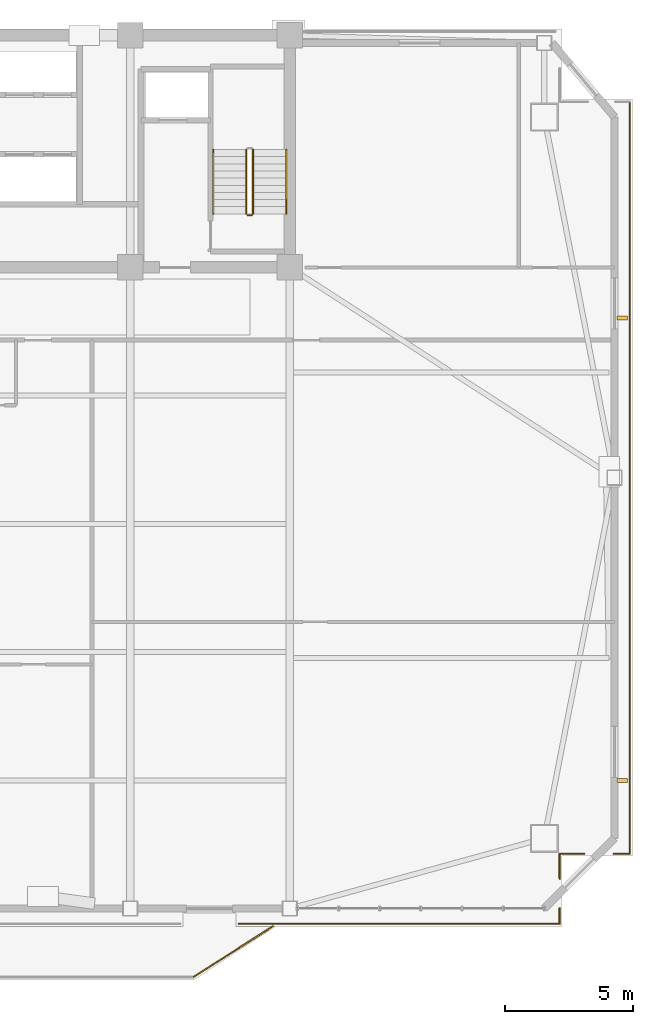
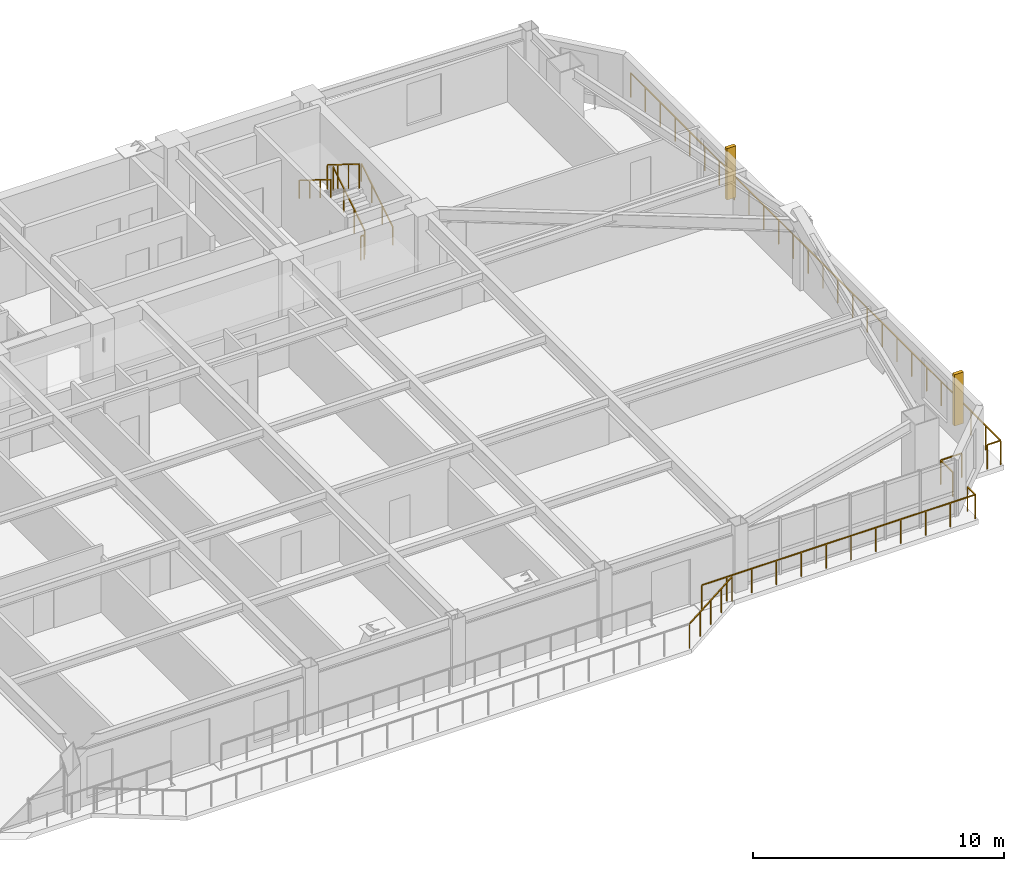
# One storey, part 15 of 17: 12 railings, 2 shading devices.
"""IFC4 building model written with IfcOpenShell, lengths in metres."""

from ifc_helpers import new_model, si_unit, direction, frame, origin, origin_2d, place, context, subcontext, project, spatial, rectangle, extrude, source, transform, mapped, material, type_object, element, save


model = new_model("IFC4")

# Units and contexts
model_context = context("Model", 3, precision=1e-05, world=origin(), true_north=direction((0.0, 1.0)))
body_context = subcontext(model_context, "Body", "Model", "MODEL_VIEW")
ifc_project = project(units=[si_unit("LENGTHUNIT", "METRE"), si_unit("AREAUNIT", "SQUARE_METRE"), si_unit("VOLUMEUNIT", "CUBIC_METRE"), si_unit("PLANEANGLEUNIT", "RADIAN"), si_unit("MASSUNIT", "GRAM", prefix="KILO")], contexts=[model_context])

# Site, building, storey
site_placement = place(None, origin())
site = spatial("IfcSite", under=ifc_project, at=site_placement, CompositionType="ELEMENT")
building_placement = place(site_placement, origin())
building = spatial("IfcBuilding", under=site, at=building_placement, Name="Giltprow Tower", CompositionType="ELEMENT")
storey_placement = place(building_placement, frame((0.0, 0.0, 216.699951171875)))
storey = spatial("IfcBuildingStorey", under=building, at=storey_placement, Name="L55", CompositionType="ELEMENT", Elevation=216.699951171875)

# Railings
ifc_material = material(Name="Anodized bronze", Category="metal")
railing_type_1 = type_object("IfcRailingType", Name="RAIL-BALC-GUARD-1200", PredefinedType="BALUSTRADE", material=ifc_material)
railing_1_placement = place(storey_placement, frame((46.780029296875, 9.637939453125, 0.0)))
element("IfcRailing", 1, at=railing_1_placement, inside=storey, type_object=railing_type_1, Name="L55 Waterfront Balcony Balustrade Seg 3", PredefinedType="BALUSTRADE", context=body_context, shape_type="SweptSolid", body=[
    extrude(rectangle(XDim=0.048095703125, YDim=0.048095703125, at=origin_2d()), frame((0.0, 0.0, 1.17578125), z_axis=(0.842755646126, 0.538296313309, 0.0), x_axis=(-0.538296313309, 0.842755646126, 0.0)), (0.0, 0.0, 1.0), 3.67822265625),
    extrude(rectangle(XDim=0.0419921875, YDim=0.0419921875, at=origin_2d()), origin(), (0.0, 0.0, 1.0), 1.15185546875),
    extrude(rectangle(XDim=0.0419921875, YDim=0.0419921875, at=origin_2d()), frame((0.77490234375, 0.4951171875, 0.0)), (0.0, 0.0, 1.0), 1.15185546875),
    extrude(rectangle(XDim=0.0419921875, YDim=0.0419921875, at=origin_2d()), frame((1.5498046875, 0.989990234375, 0.0)), (0.0, 0.0, 1.0), 1.15185546875),
    extrude(rectangle(XDim=0.0419921875, YDim=0.0419921875, at=origin_2d()), frame((2.324951171875, 1.48486328125, 0.0)), (0.0, 0.0, 1.0), 1.15185546875),
    extrude(rectangle(XDim=0.0419921875, YDim=0.0419921875, at=origin_2d()), frame((3.099853515625, 1.97998046875, 0.0)), (0.0, 0.0, 1.0), 1.15185546875),
])
railing_2_placement = place(storey_placement, frame((63.882080078125, 43.946044921875, 0.0)))
element("IfcRailing", 2, at=railing_2_placement, inside=storey, type_object=railing_type_1, Name="L55 Corner Apron Edge Balustrade 1", PredefinedType="BALUSTRADE", context=body_context, shape_type="SweptSolid", body=[
    extrude(rectangle(XDim=0.048095703125, YDim=0.048095703125, at=origin_2d()), frame((0.0, 0.0, 1.17578125), z_axis=(0.0, -1.0, 0.0), x_axis=(1.0, 0.0, 0.0)), (0.0, 0.0, 1.0), 29.47412109375),
    extrude(rectangle(XDim=0.0419921875, YDim=0.0419921875, at=origin_2d()), origin(), (0.0, 0.0, 1.0), 1.15185546875),
    extrude(rectangle(XDim=0.0419921875, YDim=0.0419921875, at=origin_2d()), frame((0.0, -1.178955078125, 0.0)), (0.0, 0.0, 1.0), 1.15185546875),
    extrude(rectangle(XDim=0.0419921875, YDim=0.0419921875, at=origin_2d()), frame((0.0, -2.35791015625, 0.0)), (0.0, 0.0, 1.0), 1.15185546875),
    extrude(rectangle(XDim=0.0419921875, YDim=0.0419921875, at=origin_2d()), frame((0.0, -3.536865234375, 0.0)), (0.0, 0.0, 1.0), 1.15185546875),
    extrude(rectangle(XDim=0.0419921875, YDim=0.0419921875, at=origin_2d()), frame((0.0, -4.7158203125, 0.0)), (0.0, 0.0, 1.0), 1.15185546875),
    extrude(rectangle(XDim=0.0419921875, YDim=0.0419921875, at=origin_2d()), frame((0.0, -5.894775390625, 0.0)), (0.0, 0.0, 1.0), 1.15185546875),
    extrude(rectangle(XDim=0.0419921875, YDim=0.0419921875, at=origin_2d()), frame((0.0, -7.07373046875, 0.0)), (0.0, 0.0, 1.0), 1.15185546875),
    extrude(rectangle(XDim=0.0419921875, YDim=0.0419921875, at=origin_2d()), frame((0.0, -8.252685546875, 0.0)), (0.0, 0.0, 1.0), 1.15185546875),
    extrude(rectangle(XDim=0.0419921875, YDim=0.0419921875, at=origin_2d()), frame((0.0, -9.431640625, 0.0)), (0.0, 0.0, 1.0), 1.15185546875),
    extrude(rectangle(XDim=0.0419921875, YDim=0.0419921875, at=origin_2d()), frame((0.0, -10.610595703125, 0.0)), (0.0, 0.0, 1.0), 1.15185546875),
    extrude(rectangle(XDim=0.0419921875, YDim=0.0419921875, at=origin_2d()), frame((0.0, -11.78955078125, 0.0)), (0.0, 0.0, 1.0), 1.15185546875),
    extrude(rectangle(XDim=0.0419921875, YDim=0.0419921875, at=origin_2d()), frame((0.0, -12.968505859375, 0.0)), (0.0, 0.0, 1.0), 1.15185546875),
    extrude(rectangle(XDim=0.0419921875, YDim=0.0419921875, at=origin_2d()), frame((0.0, -14.1474609375, 0.0)), (0.0, 0.0, 1.0), 1.15185546875),
    extrude(rectangle(XDim=0.0419921875, YDim=0.0419921875, at=origin_2d()), frame((0.0, -15.32666015625, 0.0)), (0.0, 0.0, 1.0), 1.15185546875),
    extrude(rectangle(XDim=0.0419921875, YDim=0.0419921875, at=origin_2d()), frame((0.0, -16.505615234375, 0.0)), (0.0, 0.0, 1.0), 1.15185546875),
    extrude(rectangle(XDim=0.0419921875, YDim=0.0419921875, at=origin_2d()), frame((0.0, -17.6845703125, 0.0)), (0.0, 0.0, 1.0), 1.15185546875),
    extrude(rectangle(XDim=0.0419921875, YDim=0.0419921875, at=origin_2d()), frame((0.0, -18.863525390625, 0.0)), (0.0, 0.0, 1.0), 1.15185546875),
    extrude(rectangle(XDim=0.0419921875, YDim=0.0419921875, at=origin_2d()), frame((0.0, -20.04248046875, 0.0)), (0.0, 0.0, 1.0), 1.15185546875),
    extrude(rectangle(XDim=0.0419921875, YDim=0.0419921875, at=origin_2d()), frame((0.0, -21.221435546875, 0.0)), (0.0, 0.0, 1.0), 1.15185546875),
    extrude(rectangle(XDim=0.0419921875, YDim=0.0419921875, at=origin_2d()), frame((0.0, -22.400390625, 0.0)), (0.0, 0.0, 1.0), 1.15185546875),
    extrude(rectangle(XDim=0.0419921875, YDim=0.0419921875, at=origin_2d()), frame((0.0, -23.579345703125, 0.0)), (0.0, 0.0, 1.0), 1.15185546875),
    extrude(rectangle(XDim=0.0419921875, YDim=0.0419921875, at=origin_2d()), frame((0.0, -24.75830078125, 0.0)), (0.0, 0.0, 1.0), 1.15185546875),
    extrude(rectangle(XDim=0.0419921875, YDim=0.0419921875, at=origin_2d()), frame((0.0, -25.937255859375, 0.0)), (0.0, 0.0, 1.0), 1.15185546875),
    extrude(rectangle(XDim=0.0419921875, YDim=0.0419921875, at=origin_2d()), frame((0.0, -27.1162109375, 0.0)), (0.0, 0.0, 1.0), 1.15185546875),
    extrude(rectangle(XDim=0.0419921875, YDim=0.0419921875, at=origin_2d()), frame((0.0, -28.295166015625, 0.0)), (0.0, 0.0, 1.0), 1.15185546875),
    extrude(rectangle(XDim=0.0419921875, YDim=0.0419921875, at=origin_2d()), frame((0.0, -29.47412109375, 0.0)), (0.0, 0.0, 1.0), 1.15185546875),
])
railing_3_placement = place(storey_placement, frame((63.882080078125, 14.471923828125, 0.0)))
element("IfcRailing", 3, at=railing_3_placement, inside=storey, type_object=railing_type_1, Name="L55 Corner Apron Edge Balustrade 2", PredefinedType="BALUSTRADE", context=body_context, shape_type="SweptSolid", body=[
    extrude(rectangle(XDim=0.048095703125, YDim=0.048095703125, at=origin_2d()), frame((0.0, 0.0, 1.17578125), z_axis=(-1.0, 0.0, 0.0), x_axis=(0.0, -1.0, 0.0)), (0.0, 0.0, 1.0), 0.6201171875),
    extrude(rectangle(XDim=0.0419921875, YDim=0.0419921875, at=origin_2d()), origin(), (0.0, 0.0, 1.0), 1.15185546875),
    extrude(rectangle(XDim=0.0419921875, YDim=0.0419921875, at=origin_2d()), frame((-0.6201171875, 0.0, 0.0)), (0.0, 0.0, 1.0), 1.15185546875),
])
railing_4_placement = place(storey_placement, frame((62.10205078125, 14.471923828125, 0.0)))
element("IfcRailing", 4, at=railing_4_placement, inside=storey, type_object=railing_type_1, Name="L55 Corner Apron Edge Balustrade 3", PredefinedType="BALUSTRADE", context=body_context, shape_type="SweptSolid", body=[
    extrude(rectangle(XDim=0.048095703125, YDim=0.048095703125, at=origin_2d()), frame((0.0, 0.0, 1.17578125), z_axis=(-1.0, 0.0, 0.0), x_axis=(0.0, -1.0, 0.0)), (0.0, 0.0, 1.0), 0.97412109375),
    extrude(rectangle(XDim=0.0419921875, YDim=0.0419921875, at=origin_2d()), origin(), (0.0, 0.0, 1.0), 1.15185546875),
    extrude(rectangle(XDim=0.0419921875, YDim=0.0419921875, at=origin_2d()), frame((-0.97412109375, 0.0, 0.0)), (0.0, 0.0, 1.0), 1.15185546875),
])
railing_5_placement = place(storey_placement, frame((61.1279296875, 14.471923828125, 0.0)))
element("IfcRailing", 5, at=railing_5_placement, inside=storey, type_object=railing_type_1, Name="L55 Corner Apron Edge Balustrade 4", PredefinedType="BALUSTRADE", context=body_context, shape_type="SweptSolid", body=[
    extrude(rectangle(XDim=0.048095703125, YDim=0.048095703125, at=origin_2d()), frame((0.0, 0.0, 1.17578125), z_axis=(0.0, -1.0, 0.0), x_axis=(1.0, 0.0, 0.0)), (0.0, 0.0, 1.0), 0.973876953125),
    extrude(rectangle(XDim=0.0419921875, YDim=0.0419921875, at=origin_2d()), origin(), (0.0, 0.0, 1.0), 1.15185546875),
    extrude(rectangle(XDim=0.0419921875, YDim=0.0419921875, at=origin_2d()), frame((0.0, -0.973876953125, 0.0)), (0.0, 0.0, 1.0), 1.15185546875),
])
railing_6_placement = place(storey_placement, frame((61.1279296875, 12.337890625, 0.0)))
element("IfcRailing", 6, at=railing_6_placement, inside=storey, type_object=railing_type_1, Name="L55 Corner Apron Edge Balustrade 5", PredefinedType="BALUSTRADE", context=body_context, shape_type="SweptSolid", body=[
    extrude(rectangle(XDim=0.048095703125, YDim=0.048095703125, at=origin_2d()), frame((0.0, 0.0, 1.17578125), z_axis=(0.0, -1.0, 0.0), x_axis=(1.0, 0.0, 0.0)), (0.0, 0.0, 1.0), 0.619873046875),
    extrude(rectangle(XDim=0.0419921875, YDim=0.0419921875, at=origin_2d()), origin(), (0.0, 0.0, 1.0), 1.15185546875),
    extrude(rectangle(XDim=0.0419921875, YDim=0.0419921875, at=origin_2d()), frame((0.0, -0.619873046875, 0.0)), (0.0, 0.0, 1.0), 1.15185546875),
])
railing_7_placement = place(storey_placement, frame((61.1279296875, 11.718017578125, 0.0)))
element("IfcRailing", 7, at=railing_7_placement, inside=storey, type_object=railing_type_1, Name="L55 Corner Apron Edge Balustrade 6", PredefinedType="BALUSTRADE", context=body_context, shape_type="SweptSolid", body=[
    extrude(rectangle(XDim=0.048095703125, YDim=0.048095703125, at=origin_2d()), frame((0.0, 0.0, 1.17578125), z_axis=(-1.0, 0.0, 0.0), x_axis=(0.0, -1.0, 0.0)), (0.0, 0.0, 1.0), 12.577880859375),
    extrude(rectangle(XDim=0.0419921875, YDim=0.0419921875, at=origin_2d()), origin(), (0.0, 0.0, 1.0), 1.15185546875),
    extrude(rectangle(XDim=0.0419921875, YDim=0.0419921875, at=origin_2d()), frame((-1.1435546875, 0.0, 0.0)), (0.0, 0.0, 1.0), 1.15185546875),
    extrude(rectangle(XDim=0.0419921875, YDim=0.0419921875, at=origin_2d()), frame((-2.286865234375, 0.0, 0.0)), (0.0, 0.0, 1.0), 1.15185546875),
    extrude(rectangle(XDim=0.0419921875, YDim=0.0419921875, at=origin_2d()), frame((-3.430419921875, 0.0, 0.0)), (0.0, 0.0, 1.0), 1.15185546875),
    extrude(rectangle(XDim=0.0419921875, YDim=0.0419921875, at=origin_2d()), frame((-4.57373046875, 0.0, 0.0)), (0.0, 0.0, 1.0), 1.15185546875),
    extrude(rectangle(XDim=0.0419921875, YDim=0.0419921875, at=origin_2d()), frame((-5.71728515625, 0.0, 0.0)), (0.0, 0.0, 1.0), 1.15185546875),
    extrude(rectangle(XDim=0.0419921875, YDim=0.0419921875, at=origin_2d()), frame((-6.860595703125, 0.0, 0.0)), (0.0, 0.0, 1.0), 1.15185546875),
    extrude(rectangle(XDim=0.0419921875, YDim=0.0419921875, at=origin_2d()), frame((-8.004150390625, 0.0, 0.0)), (0.0, 0.0, 1.0), 1.15185546875),
    extrude(rectangle(XDim=0.0419921875, YDim=0.0419921875, at=origin_2d()), frame((-9.1474609375, 0.0, 0.0)), (0.0, 0.0, 1.0), 1.15185546875),
    extrude(rectangle(XDim=0.0419921875, YDim=0.0419921875, at=origin_2d()), frame((-10.291015625, 0.0, 0.0)), (0.0, 0.0, 1.0), 1.15185546875),
    extrude(rectangle(XDim=0.0419921875, YDim=0.0419921875, at=origin_2d()), frame((-11.434326171875, 0.0, 0.0)), (0.0, 0.0, 1.0), 1.15185546875),
    extrude(rectangle(XDim=0.0419921875, YDim=0.0419921875, at=origin_2d()), frame((-12.577880859375, 0.0, 0.0)), (0.0, 0.0, 1.0), 1.15185546875),
])
railing_type_2 = type_object("IfcRailingType", Name="RAIL-STAIR-GUARD-1200", PredefinedType="GUARDRAIL", material=ifc_material)
railing_8_placement = place(storey_placement, frame((49.110107421875, 39.550048828125, 0.175048828125)))
element("IfcRailing", 8, at=railing_8_placement, inside=storey, type_object=railing_type_2, Name="L55 ST-3 stair guard 1", PredefinedType="GUARDRAIL", context=body_context, shape_type="SweptSolid", body=[
    extrude(rectangle(XDim=0.048095703125, YDim=0.048095703125, at=origin_2d()), frame((0.0, 0.0, 1.17578125), z_axis=(0.0, 0.848007534815, 0.529984170421), x_axis=(-1.0, 0.0, 0.0)), (0.0, 0.0, 1.0), 2.9716796875),
    extrude(rectangle(XDim=0.0419921875, YDim=0.0419921875, at=origin_2d()), origin(), (0.0, 0.0, 1.0), 1.15185546875),
    extrude(rectangle(XDim=0.0419921875, YDim=0.0419921875, at=origin_2d()), frame((0.0, 0.840087890625, 0.52490234375)), (0.0, 0.0, 1.0), 1.15185546875),
    extrude(rectangle(XDim=0.0419921875, YDim=0.0419921875, at=origin_2d()), frame((0.0, 1.679931640625, 1.050048828125)), (0.0, 0.0, 1.0), 1.15185546875),
    extrude(rectangle(XDim=0.0419921875, YDim=0.0419921875, at=origin_2d()), frame((0.0, 2.52001953125, 1.574951171875)), (0.0, 0.0, 1.0), 1.15185546875),
])
railing_9_placement = place(storey_placement, frame((48.85009765625, 42.070068359375, 1.925048828125)))
element("IfcRailing", 9, at=railing_9_placement, inside=storey, type_object=railing_type_2, Name="L55 ST-3 stair guard 3", PredefinedType="GUARDRAIL", context=body_context, shape_type="SweptSolid", body=[
    extrude(rectangle(XDim=0.048095703125, YDim=0.048095703125, at=origin_2d()), frame((0.0, 0.0, 1.17578125), z_axis=(0.0, -0.848007534815, 0.529984170421), x_axis=(1.0, 0.0, 0.0)), (0.0, 0.0, 1.0), 2.9716796875),
    extrude(rectangle(XDim=0.0419921875, YDim=0.0419921875, at=origin_2d()), origin(), (0.0, 0.0, 1.0), 1.15185546875),
    extrude(rectangle(XDim=0.0419921875, YDim=0.0419921875, at=origin_2d()), frame((0.0, -0.840087890625, 0.52490234375)), (0.0, 0.0, 1.0), 1.15185546875),
    extrude(rectangle(XDim=0.0419921875, YDim=0.0419921875, at=origin_2d()), frame((0.0, -1.679931640625, 1.050048828125)), (0.0, 0.0, 1.0), 1.15185546875),
    extrude(rectangle(XDim=0.0419921875, YDim=0.0419921875, at=origin_2d()), frame((0.0, -2.52001953125, 1.574951171875)), (0.0, 0.0, 1.0), 1.15185546875),
])
railing_10_placement = place(storey_placement, frame((49.06005859375, 39.5, 0.0)))
element("IfcRailing", 10, at=railing_10_placement, inside=storey, type_object=railing_type_2, Name="L55 ST-3 stair guard 4", PredefinedType="GUARDRAIL", context=body_context, shape_type="SweptSolid", body=[
    extrude(rectangle(XDim=0.048095703125, YDim=0.048095703125, at=origin_2d()), frame((0.0, 0.0, 1.17578125), z_axis=(-1.0, 0.0, 0.0), x_axis=(0.0, -1.0, 0.0)), (0.0, 0.0, 1.0), 0.16015625),
    extrude(rectangle(XDim=0.0419921875, YDim=0.0419921875, at=origin_2d()), origin(), (0.0, 0.0, 1.0), 1.15185546875),
    extrude(rectangle(XDim=0.0419921875, YDim=0.0419921875, at=origin_2d()), frame((-0.16015625, 0.0, 0.0)), (0.0, 0.0, 1.0), 1.15185546875),
])
railing_type_3 = type_object("IfcRailingType", Name="RAIL-STAIR-HAND-900", PredefinedType="HANDRAIL", material=ifc_material)
railing_11_placement = place(storey_placement, frame((50.409912109375, 39.550048828125, 0.175048828125)))
element("IfcRailing", 11, at=railing_11_placement, inside=storey, type_object=railing_type_3, Name="L55 ST-3 stair handrail 1", PredefinedType="HANDRAIL", context=body_context, shape_type="SweptSolid", body=[
    extrude(rectangle(XDim=0.048095703125, YDim=0.048095703125, at=origin_2d()), frame((0.0, 0.0, 0.8759765625), z_axis=(0.0, 0.848007534815, 0.529984170421), x_axis=(-1.0, 0.0, 0.0)), (0.0, 0.0, 1.0), 2.9716796875),
    extrude(rectangle(XDim=0.0419921875, YDim=0.0419921875, at=origin_2d()), origin(), (0.0, 0.0, 1.0), 0.851806640625),
    extrude(rectangle(XDim=0.0419921875, YDim=0.0419921875, at=origin_2d()), frame((0.0, 0.840087890625, 0.52490234375)), (0.0, 0.0, 1.0), 0.851806640625),
    extrude(rectangle(XDim=0.0419921875, YDim=0.0419921875, at=origin_2d()), frame((0.0, 1.679931640625, 1.050048828125)), (0.0, 0.0, 1.0), 0.851806640625),
    extrude(rectangle(XDim=0.0419921875, YDim=0.0419921875, at=origin_2d()), frame((0.0, 2.52001953125, 1.574951171875)), (0.0, 0.0, 1.0), 0.851806640625),
])
railing_12_placement = place(storey_placement, frame((47.550048828125, 42.070068359375, 1.925048828125)))
element("IfcRailing", 12, at=railing_12_placement, inside=storey, type_object=railing_type_3, Name="L55 ST-3 stair handrail 2", PredefinedType="HANDRAIL", context=body_context, shape_type="SweptSolid", body=[
    extrude(rectangle(XDim=0.048095703125, YDim=0.048095703125, at=origin_2d()), frame((0.0, 0.0, 0.8759765625), z_axis=(0.0, -0.848007534815, 0.529984170421), x_axis=(1.0, 0.0, 0.0)), (0.0, 0.0, 1.0), 2.9716796875),
    extrude(rectangle(XDim=0.0419921875, YDim=0.0419921875, at=origin_2d()), origin(), (0.0, 0.0, 1.0), 0.851806640625),
    extrude(rectangle(XDim=0.0419921875, YDim=0.0419921875, at=origin_2d()), frame((0.0, -0.840087890625, 0.52490234375)), (0.0, 0.0, 1.0), 0.851806640625),
    extrude(rectangle(XDim=0.0419921875, YDim=0.0419921875, at=origin_2d()), frame((0.0, -1.679931640625, 1.050048828125)), (0.0, 0.0, 1.0), 0.851806640625),
    extrude(rectangle(XDim=0.0419921875, YDim=0.0419921875, at=origin_2d()), frame((0.0, -2.52001953125, 1.574951171875)), (0.0, 0.0, 1.0), 0.851806640625),
])

# Shading devices
shading_device_type = type_object("IfcShadingDeviceType", Name="SHD-FIN-420", PredefinedType="USERDEFINED", material=ifc_material)
shared_shape = source(origin(), body_context, "Body", "SweptSolid", [
    extrude(rectangle(XDim=0.419921875, YDim=0.159912109375, at=origin_2d()), origin(), (0.0, 0.0, 1.0), 2.5),
])
for number, where, z_axis, x_axis, name in (
    (13, (63.58203125, 17.343017578125, 0.35009765625), (0.0, 0.0, 1.0), (1.0, 0.0, 0.0), "L55 E Bronze Vertical Fin 1-1"),
    (14, (63.58203125, 35.471923828125, 0.35009765625), (0.0, 0.0, 1.0), (1.0, 0.0, 0.0), "L55 E Bronze Vertical Fin 2-1"),
):
    element("IfcShadingDevice", number, at=place(storey_placement, frame(where, z_axis=z_axis, x_axis=x_axis)), inside=storey, type_object=shading_device_type, Name=name, ObjectType="FIN", PredefinedType="USERDEFINED", context=body_context, shape_type="MappedRepresentation", body=[
        mapped(shared_shape, transform((0.0, 0.0, 0.0), x_axis=(1.0, 0.0, 0.0), y_axis=(0.0, 1.0, 0.0), z_axis=(0.0, 0.0, 1.0), scale=1.0)),
    ])

save(model, "model.ifc")
